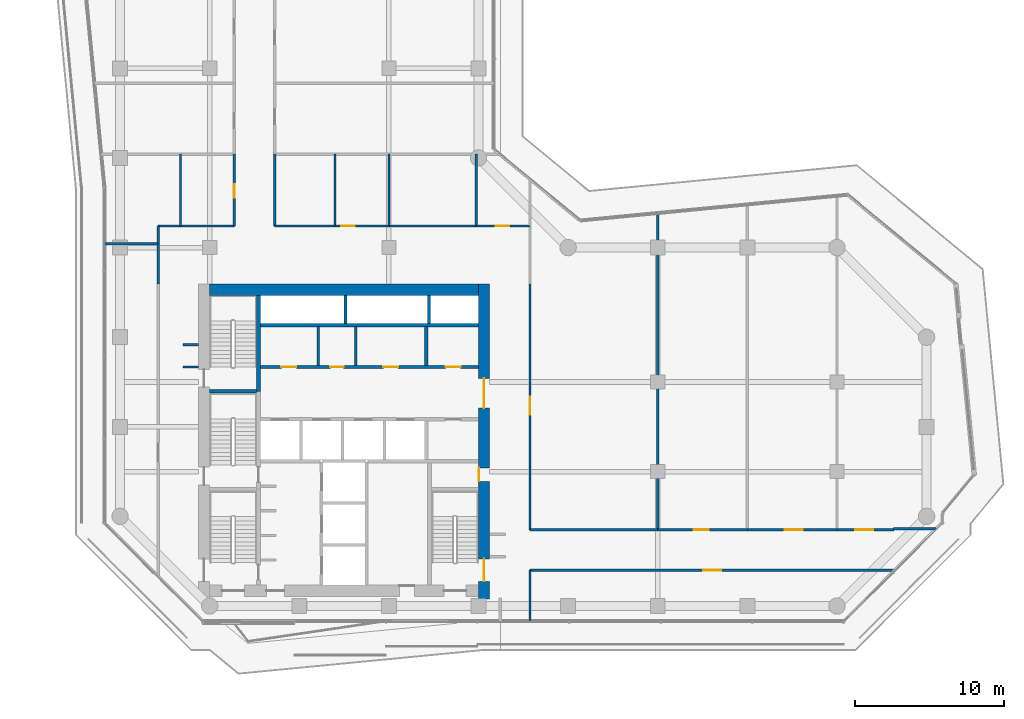
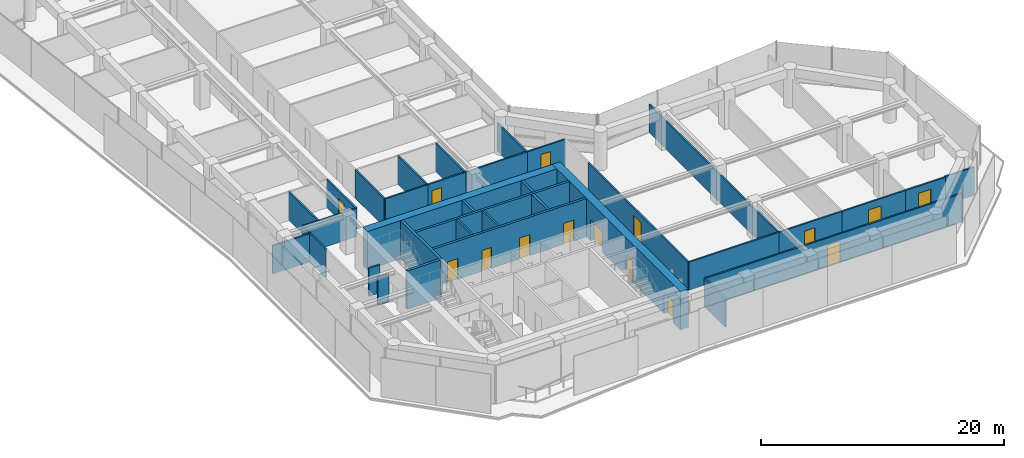
# One storey, part 24 of 28: 35 walls, 15 doors, 15 openings.
"""IFC4 building model written with IfcOpenShell, lengths in metres."""

from ifc_helpers import new_model, si_unit, direction, frame, frame_2d, origin, place, context, subcontext, project, spatial, rectangle, extrude, material, layer, layer_set, type_object, element, fill, save


model = new_model("IFC4")

# Units and contexts
model_context = context("Model", 3, precision=1e-05, world=origin(), true_north=direction((0.0, 1.0)))
body_context = subcontext(model_context, "Body", "Model", "MODEL_VIEW")
ifc_project = project(units=[si_unit("LENGTHUNIT", "METRE"), si_unit("AREAUNIT", "SQUARE_METRE"), si_unit("VOLUMEUNIT", "CUBIC_METRE"), si_unit("PLANEANGLEUNIT", "RADIAN"), si_unit("MASSUNIT", "GRAM", prefix="KILO")], contexts=[model_context])

# Site, building, storey
site_placement = place(None, origin())
site = spatial("IfcSite", under=ifc_project, at=site_placement, CompositionType="ELEMENT")
building_placement = place(site_placement, origin())
building = spatial("IfcBuilding", under=site, at=building_placement, Name="Welwitschia Terrace Campus", CompositionType="ELEMENT")
storey_placement = place(building_placement, frame((0.0, 0.0, 87.800048828125)))
storey = spatial("IfcBuildingStorey", under=building, at=storey_placement, Name="L19", CompositionType="ELEMENT", Elevation=87.800048828125)

# Walls
ifc_material_1 = material(Name="Concrete C32/40", Category="concrete")
ifc_layer_1 = layer(ifc_material_1, 0.175048828125)
ifc_layer_set_1 = layer_set([ifc_layer_1], Name="Concrete C32/40")
wall_type_1 = type_object("IfcWallType", Name="Core partition 175 Concrete C32/40", PredefinedType="PARTITIONING", material=ifc_layer_set_1)
for number, where, z_axis, x_axis, name in (
    (1, (13.27490234375, 20.10009765625, 0.0), (0.0, 0.0, 1.0), (0.0, 1.0, 0.0), "Core partition"),
    (2, (15.77490234375, 20.10009765625, 0.0), (0.0, 0.0, 1.0), (0.0, 1.0, 0.0), "Core partition"),
):
    element("IfcWall", number, at=place(storey_placement, frame(where, z_axis=z_axis, x_axis=x_axis)), inside=storey, type_object=wall_type_1, Name=name, PredefinedType="PARTITIONING", context=body_context, shape_type="SweptSolid", body=[
        extrude(rectangle(XDim=2.599853515625, YDim=0.175048828125, at=frame_2d((1.2998046875, 0.0))), origin(), (0.0, 0.0, 1.0), 3.849853515625),
    ])

# Wall, openings, doors
ifc_material_2 = material(Name="Concrete C32/40", Category="concrete")
ifc_layer_2 = layer(ifc_material_2, 0.22509765625)
ifc_layer_set_2 = layer_set([ifc_layer_2], Name="Concrete C32/40")
wall_type_2 = type_object("IfcWallType", Name="Core partition 225 Concrete C32/40", PredefinedType="PARTITIONING", material=ifc_layer_set_2)
wall_1_placement = place(storey_placement, frame((24.0, 20.0, 0.0), z_axis=(0.0, 0.0, 1.0), x_axis=(-1.0, 0.0, 0.0)))
wall_1 = element("IfcWall", 3, at=wall_1_placement, inside=storey, type_object=wall_type_2, Name="Core partition", PredefinedType="PARTITIONING", context=body_context, shape_type="SweptSolid", body=[
    extrude(rectangle(XDim=14.60009765625, YDim=0.22509765625, at=frame_2d((7.300048828125, 0.0))), origin(), (0.0, 0.0, 1.0), 3.849853515625),
])
opening_1_placement = place(wall_1_placement, frame((12.199951171875, 0.0, 0.0)))
opening_1 = element("IfcOpeningElement", 4, at=opening_1_placement, cuts=wall_1, Name="Opening DR10", PredefinedType="OPENING", context=body_context, shape_type="SweptSolid", body=[
    extrude(rectangle(XDim=1.0, YDim=2.10009765625, at=frame_2d((0.5, 1.050048828125))), frame((0.0, 0.12255859375, 0.0), z_axis=(0.0, -1.0, 0.0), x_axis=(1.0, 0.0, 0.0)), (0.0, 0.0, 1.0), 0.2451171875),
])
opening_2_placement = place(wall_1_placement, frame((9.02490234375, 0.0, 0.0)))
opening_2 = element("IfcOpeningElement", 5, at=opening_2_placement, cuts=wall_1, Name="Opening DR09", PredefinedType="OPENING", context=body_context, shape_type="SweptSolid", body=[
    extrude(rectangle(XDim=0.89990234375, YDim=2.10009765625, at=frame_2d((0.449951171875, 1.050048828125))), frame((0.0, 0.12255859375, 0.0), z_axis=(0.0, -1.0, 0.0), x_axis=(1.0, 0.0, 0.0)), (0.0, 0.0, 1.0), 0.2451171875),
])
opening_3_placement = place(wall_1_placement, frame((5.375, 0.0, 0.0)))
opening_3 = element("IfcOpeningElement", 6, at=opening_3_placement, cuts=wall_1, Name="Opening DR10", PredefinedType="OPENING", context=body_context, shape_type="SweptSolid", body=[
    extrude(rectangle(XDim=1.0, YDim=2.10009765625, at=frame_2d((0.5, 1.050048828125))), frame((0.0, 0.12255859375, 0.0), z_axis=(0.0, -1.0, 0.0), x_axis=(1.0, 0.0, 0.0)), (0.0, 0.0, 1.0), 0.2451171875),
])
opening_4_placement = place(wall_1_placement, frame((1.199951171875, 0.0, 0.0)))
opening_4 = element("IfcOpeningElement", 7, at=opening_4_placement, cuts=wall_1, Name="Opening DR10", PredefinedType="OPENING", context=body_context, shape_type="SweptSolid", body=[
    extrude(rectangle(XDim=1.0, YDim=2.10009765625, at=frame_2d((0.5, 1.050048828125))), frame((0.0, 0.12255859375, 0.0), z_axis=(0.0, -1.0, 0.0), x_axis=(1.0, 0.0, 0.0)), (0.0, 0.0, 1.0), 0.2451171875),
])
ifc_material_3 = material(Name="Steel S275", Category="steel")
door_type_1 = type_object("IfcDoorType", Name="Core door DR09", OperationType="SINGLE_SWING_LEFT", PredefinedType="DOOR", material=ifc_material_3)
door_1_placement = place(opening_2_placement, origin())
door_1 = element("IfcDoor", 8, at=door_1_placement, inside=storey, type_object=door_type_1, Name="Door BAYH2-D", OperationType="SINGLE_SWING_RIGHT", OverallHeight=2.10009765625, OverallWidth=0.89990234375, PredefinedType="DOOR", context=body_context, shape_type="SweptSolid", body=[
    extrude(rectangle(XDim=0.89990234375, YDim=2.10009765625, at=frame_2d((0.449951171875, 1.050048828125))), frame((0.0, 0.02490234375, 0.0), z_axis=(0.0, -1.0, 0.0), x_axis=(1.0, 0.0, 0.0)), (0.0, 0.0, 1.0), 0.050048828125),
])
fill(opening_2, door_1)
ifc_material_4 = material(Name="Steel S275", Category="steel")
door_type_2 = type_object("IfcDoorType", Name="Core door DR10", OperationType="SINGLE_SWING_LEFT", PredefinedType="DOOR", material=ifc_material_4)
door_2_placement = place(opening_1_placement, origin())
door_2 = element("IfcDoor", 9, at=door_2_placement, inside=storey, type_object=door_type_2, Name="Door BAYH1-D", OperationType="SINGLE_SWING_RIGHT", OverallHeight=2.10009765625, OverallWidth=1.0, PredefinedType="DOOR", context=body_context, shape_type="SweptSolid", body=[
    extrude(rectangle(XDim=1.0, YDim=2.10009765625, at=frame_2d((0.5, 1.050048828125))), frame((0.0, 0.02490234375, 0.0), z_axis=(0.0, -1.0, 0.0), x_axis=(1.0, 0.0, 0.0)), (0.0, 0.0, 1.0), 0.050048828125),
])
fill(opening_1, door_2)
door_3_placement = place(opening_3_placement, origin())
door_3 = element("IfcDoor", 10, at=door_3_placement, inside=storey, type_object=door_type_2, Name="Door BAYH3-D", OperationType="SINGLE_SWING_LEFT", OverallHeight=2.10009765625, OverallWidth=1.0, PredefinedType="DOOR", context=body_context, shape_type="SweptSolid", body=[
    extrude(rectangle(XDim=1.0, YDim=2.10009765625, at=frame_2d((0.5, 1.050048828125))), frame((0.0, 0.02490234375, 0.0), z_axis=(0.0, -1.0, 0.0), x_axis=(1.0, 0.0, 0.0)), (0.0, 0.0, 1.0), 0.050048828125),
])
fill(opening_3, door_3)
door_4_placement = place(opening_4_placement, origin())
door_4 = element("IfcDoor", 11, at=door_4_placement, inside=storey, type_object=door_type_2, Name="Door EH-D", OperationType="SINGLE_SWING_LEFT", OverallHeight=2.10009765625, OverallWidth=1.0, PredefinedType="DOOR", context=body_context, shape_type="SweptSolid", body=[
    extrude(rectangle(XDim=1.0, YDim=2.10009765625, at=frame_2d((0.5, 1.050048828125))), frame((0.0, 0.02490234375, 0.0), z_axis=(0.0, -1.0, 0.0), x_axis=(1.0, 0.0, 0.0)), (0.0, 0.0, 1.0), 0.050048828125),
])
fill(opening_4, door_4)

# Walls
wall_2_placement = place(storey_placement, frame((9.39990234375, 22.800048828125, 0.0), z_axis=(0.0, 0.0, 1.0), x_axis=(1.0, 0.0, 0.0)))
element("IfcWall", 12, at=wall_2_placement, inside=storey, type_object=wall_type_2, Name="Shaft wall", PredefinedType="PARTITIONING", context=body_context, shape_type="SweptSolid", body=[
    extrude(rectangle(XDim=14.60009765625, YDim=0.22509765625, at=frame_2d((7.300048828125, 0.0))), origin(), (0.0, 0.0, 1.0), 3.849853515625),
])
wall_3_placement = place(storey_placement, frame((20.5, 20.10009765625, 0.0), z_axis=(0.0, 0.0, 1.0), x_axis=(0.0, 1.0, 0.0)))
element("IfcWall", 13, at=wall_3_placement, inside=storey, type_object=wall_type_2, Name="Core partition", PredefinedType="PARTITIONING", context=body_context, shape_type="SweptSolid", body=[
    extrude(rectangle(XDim=2.599853515625, YDim=0.22509765625, at=frame_2d((1.2998046875, 0.0))), origin(), (0.0, 0.0, 1.0), 3.849853515625),
])
ifc_material_5 = material(Name="Concrete C50/60", Category="concrete")
ifc_layer_3 = layer(ifc_material_5, 0.199951171875)
ifc_layer_set_3 = layer_set([ifc_layer_3], Name="Concrete C50/60")
wall_type_3 = type_object("IfcWallType", Name="Core wall 200 Concrete C50/60", PredefinedType="SHEAR", material=ifc_layer_set_3)
for number, where, z_axis, x_axis, name in (
    (14, (15.10009765625, 22.89990234375, 0.0), (0.0, 0.0, 1.0), (0.0, 1.0, 0.0), "Core wall"),
    (15, (20.699951171875, 22.89990234375, 0.0), (0.0, 0.0, 1.0), (0.0, 1.0, 0.0), "Core wall"),
):
    element("IfcWall", number, at=place(storey_placement, frame(where, z_axis=z_axis, x_axis=x_axis)), inside=storey, type_object=wall_type_3, Name=name, PredefinedType="SHEAR", context=body_context, shape_type="SweptSolid", body=[
        extrude(rectangle(XDim=1.900146484375, YDim=0.199951171875, at=frame_2d((0.9501953125, 0.0))), origin(), (0.0, 0.0, 1.0), 3.849853515625),
    ])
ifc_material_6 = material(Name="Concrete C50/60", Category="concrete")
ifc_layer_4 = layer(ifc_material_6, 0.25)
ifc_layer_set_4 = layer_set([ifc_layer_4], Name="Concrete C50/60")
wall_type_4 = type_object("IfcWallType", Name="Core wall 250 Concrete C50/60", PredefinedType="SHEAR", material=ifc_layer_set_4)
wall_4_placement = place(storey_placement, frame((6.0, 18.375, 0.0), z_axis=(0.0, 0.0, 1.0), x_axis=(1.0, 0.0, 0.0)))
element("IfcWall", 16, at=wall_4_placement, inside=storey, type_object=wall_type_4, Name="Core wall", PredefinedType="SHEAR", context=body_context, shape_type="SweptSolid", body=[
    extrude(rectangle(XDim=3.14990234375, YDim=0.25, at=frame_2d((1.574951171875, 0.0))), origin(), (0.0, 0.0, 1.0), 3.849853515625),
])
wall_5_placement = place(storey_placement, frame((9.27490234375, 18.375, 0.0), z_axis=(0.0, 0.0, 1.0), x_axis=(0.0, 1.0, 0.0)))
element("IfcWall", 17, at=wall_5_placement, inside=storey, type_object=wall_type_4, Name="Core wall", PredefinedType="SHEAR", context=body_context, shape_type="SweptSolid", body=[
    extrude(rectangle(XDim=6.425048828125, YDim=0.25, at=frame_2d((3.21240234375, 0.0))), origin(), (0.0, 0.0, 1.0), 3.849853515625),
])

# Wall, openings, doors
ifc_material_7 = material(Name="Concrete C70/85", Category="concrete")
ifc_layer_5 = layer(ifc_material_7, 0.75)
ifc_layer_set_5 = layer_set([ifc_layer_5], Name="Concrete C70/85")
wall_type_5 = type_object("IfcWallType", Name="Core wall 750 Concrete C70/85", PredefinedType="SHEAR", material=ifc_layer_set_5)
wall_6_placement = place(storey_placement, frame((24.375, 25.550048828125, 0.0), z_axis=(0.0, 0.0, 1.0), x_axis=(0.0, -1.0, 0.0)))
wall_6 = element("IfcWall", 18, at=wall_6_placement, inside=storey, type_object=wall_type_5, Name="Core outer wall", PredefinedType="SHEAR", context=body_context, shape_type="SweptSolid", body=[
    extrude(rectangle(XDim=21.080078125, YDim=0.75, at=frame_2d((10.5400390625, 0.0))), origin(), (0.0, 0.0, 1.0), 3.849853515625),
])
opening_5_placement = place(wall_6_placement, frame((18.39990234375, 0.0, 0.0)))
opening_5 = element("IfcOpeningElement", 19, at=opening_5_placement, cuts=wall_6, Name="Opening DS15", PredefinedType="OPENING", context=body_context, shape_type="SweptSolid", body=[
    extrude(rectangle(XDim=1.5, YDim=2.10009765625, at=frame_2d((0.75, 1.050048828125))), frame((0.0, 0.385009765625, 0.0), z_axis=(0.0, -1.0, 0.0), x_axis=(1.0, 0.0, 0.0)), (0.0, 0.0, 1.0), 0.77001953125),
])
opening_6_placement = place(wall_6_placement, frame((12.300048828125, 0.0, 0.0)))
opening_6 = element("IfcOpeningElement", 20, at=opening_6_placement, cuts=wall_6, Name="Opening DR09", PredefinedType="OPENING", context=body_context, shape_type="SweptSolid", body=[
    extrude(rectangle(XDim=0.89990234375, YDim=2.10009765625, at=frame_2d((0.449951171875, 1.050048828125))), frame((0.0, 0.385009765625, 0.0), z_axis=(0.0, -1.0, 0.0), x_axis=(1.0, 0.0, 0.0)), (0.0, 0.0, 1.0), 0.77001953125),
])
opening_7_placement = place(wall_6_placement, frame((6.300048828125, 0.0, 0.0)))
opening_7 = element("IfcOpeningElement", 21, at=opening_7_placement, cuts=wall_6, Name="Opening DL20", PredefinedType="OPENING", context=body_context, shape_type="SweptSolid", body=[
    extrude(rectangle(XDim=2.0, YDim=2.10009765625, at=frame_2d((1.0, 1.050048828125))), frame((0.0, 0.385009765625, 0.0), z_axis=(0.0, -1.0, 0.0), x_axis=(1.0, 0.0, 0.0)), (0.0, 0.0, 1.0), 0.77001953125),
])
ifc_material_8 = material(Name="Steel S275", Category="steel")
door_type_3 = type_object("IfcDoorType", Name="Core door DL20", OperationType="DOUBLE_DOOR_SINGLE_SWING", PredefinedType="DOOR", material=ifc_material_8)
door_5_placement = place(opening_7_placement, origin())
door_5 = element("IfcDoor", 22, at=door_5_placement, inside=storey, type_object=door_type_3, Name="Door LOBBY-out", OperationType="DOUBLE_DOOR_SINGLE_SWING", OverallHeight=2.10009765625, OverallWidth=2.0, PredefinedType="DOOR", context=body_context, shape_type="SweptSolid", body=[
    extrude(rectangle(XDim=2.0, YDim=2.10009765625, at=frame_2d((1.0, 1.050048828125))), frame((0.0, 0.02490234375, 0.0), z_axis=(0.0, -1.0, 0.0), x_axis=(1.0, 0.0, 0.0)), (0.0, 0.0, 1.0), 0.050048828125),
])
fill(opening_7, door_5)
door_6_placement = place(opening_6_placement, origin())
door_6 = element("IfcDoor", 23, at=door_6_placement, inside=storey, type_object=door_type_1, Name="Door F1B-out", OperationType="SINGLE_SWING_RIGHT", OverallHeight=2.10009765625, OverallWidth=0.89990234375, PredefinedType="DOOR", context=body_context, shape_type="SweptSolid", body=[
    extrude(rectangle(XDim=0.89990234375, YDim=2.10009765625, at=frame_2d((0.449951171875, 1.050048828125))), frame((0.0, -0.31494140625, 0.0), z_axis=(0.0, -1.0, 0.0), x_axis=(1.0, 0.0, 0.0)), (0.0, 0.0, 1.0), 0.050048828125),
])
fill(opening_6, door_6)
ifc_material_9 = material(Name="Steel S275", Category="steel")
door_type_4 = type_object("IfcDoorType", Name="Core door DS15", OperationType="DOUBLE_DOOR_SINGLE_SWING", PredefinedType="DOOR", material=ifc_material_9)
door_7_placement = place(opening_5_placement, origin())
door_7 = element("IfcDoor", 24, at=door_7_placement, inside=storey, type_object=door_type_4, Name="Door S2-out", OperationType="DOUBLE_DOOR_SINGLE_SWING", OverallHeight=2.10009765625, OverallWidth=1.5, PredefinedType="DOOR", context=body_context, shape_type="SweptSolid", body=[
    extrude(rectangle(XDim=1.5, YDim=2.10009765625, at=frame_2d((0.75, 1.050048828125))), frame((0.0, 0.02490234375, 0.0), z_axis=(0.0, -1.0, 0.0), x_axis=(1.0, 0.0, 0.0)), (0.0, 0.0, 1.0), 0.050048828125),
])
fill(opening_5, door_7)

# Walls
wall_7_placement = place(storey_placement, frame((6.0, 25.175048828125, 0.0), z_axis=(0.0, 0.0, 1.0), x_axis=(1.0, 0.0, 0.0)))
element("IfcWall", 25, at=wall_7_placement, inside=storey, type_object=wall_type_5, Name="Core outer wall", PredefinedType="SHEAR", context=body_context, shape_type="SweptSolid", body=[
    extrude(rectangle(XDim=18.0, YDim=0.75, at=frame_2d((9.0, 0.0))), origin(), (0.0, 0.0, 1.0), 3.849853515625),
])
ifc_material_10 = material(Name="Gypsum board on steel studs", Category="steel")
ifc_layer_6 = layer(ifc_material_10, 0.14990234375)
ifc_layer_set_6 = layer_set([ifc_layer_6], Name="Gypsum board on steel studs")
wall_type_6 = type_object("IfcWallType", Name="Corridor partition 150 EI 30", PredefinedType="PARTITIONING", material=ifc_layer_set_6)
wall_8_placement = place(storey_placement, frame((-1.0400390625, 28.25, 0.0), z_axis=(0.0, 0.0, 1.0), x_axis=(1.0, 0.0, 0.0)))
element("IfcWall", 26, at=wall_8_placement, inside=storey, type_object=wall_type_6, Name="Partition", PredefinedType="PARTITIONING", context=body_context, shape_type="SweptSolid", body=[
    extrude(rectangle(XDim=3.590087890625, YDim=0.14990234375, at=frame_2d((1.794921875, 0.0))), origin(), (0.0, 0.0, 1.0), 2.829833984375),
])
wall_9_placement = place(storey_placement, frame((2.550048828125, 25.550048828125, 0.0), z_axis=(0.0, 0.0, 1.0), x_axis=(0.0, 1.0, 0.0)))
element("IfcWall", 27, at=wall_9_placement, inside=storey, type_object=wall_type_6, Name="Partition", PredefinedType="PARTITIONING", context=body_context, shape_type="SweptSolid", body=[
    extrude(rectangle(XDim=3.89990234375, YDim=0.14990234375, at=frame_2d((1.949951171875, 0.0))), origin(), (0.0, 0.0, 1.0), 2.829833984375),
])
wall_10_placement = place(storey_placement, frame((2.550048828125, 29.449951171875, 0.0), z_axis=(0.0, 0.0, 1.0), x_axis=(1.0, 0.0, 0.0)))
element("IfcWall", 28, at=wall_10_placement, inside=storey, type_object=wall_type_6, Name="Partition", PredefinedType="PARTITIONING", context=body_context, shape_type="SweptSolid", body=[
    extrude(rectangle(XDim=5.099853515625, YDim=0.14990234375, at=frame_2d((2.5498046875, 0.0))), origin(), (0.0, 0.0, 1.0), 2.829833984375),
])
wall_11_placement = place(storey_placement, frame((4.050048828125, 29.449951171875, 0.0), z_axis=(0.0, 0.0, 1.0), x_axis=(0.0, 1.0, 0.0)))
element("IfcWall", 29, at=wall_11_placement, inside=storey, type_object=wall_type_6, Name="Partition", PredefinedType="PARTITIONING", context=body_context, shape_type="SweptSolid", body=[
    extrude(rectangle(XDim=4.800048828125, YDim=0.14990234375, at=frame_2d((2.39990234375, 0.0))), origin(), (0.0, 0.0, 1.0), 2.829833984375),
])
for number, where, z_axis, x_axis, name in (
    (30, (4.199951171875, 20.0, 0.0), (0.0, 0.0, 1.0), (1.0, 0.0, 0.0), "Partition"),
    (31, (4.199951171875, 21.5, 0.0), (0.0, 0.0, 1.0), (1.0, 0.0, 0.0), "Partition"),
):
    element("IfcWall", number, at=place(storey_placement, frame(where, z_axis=z_axis, x_axis=x_axis)), inside=storey, type_object=wall_type_6, Name=name, PredefinedType="PARTITIONING", context=body_context, shape_type="SweptSolid", body=[
        extrude(rectangle(XDim=1.050048828125, YDim=0.14990234375, at=frame_2d((0.52490234375, 0.0))), origin(), (0.0, 0.0, 1.0), 2.829833984375),
    ])

# Wall, opening, door
wall_12_placement = place(storey_placement, frame((7.64990234375, 29.449951171875, 0.0), z_axis=(0.0, 0.0, 1.0), x_axis=(0.0, 1.0, 0.0)))
wall_12 = element("IfcWall", 32, at=wall_12_placement, inside=storey, type_object=wall_type_6, Name="Partition", PredefinedType="PARTITIONING", context=body_context, shape_type="SweptSolid", body=[
    extrude(rectangle(XDim=4.800048828125, YDim=0.14990234375, at=frame_2d((2.39990234375, 0.0))), origin(), (0.0, 0.0, 1.0), 2.829833984375),
])
opening_8_placement = place(wall_12_placement, frame((1.89990234375, 0.0, 0.0)))
opening_8 = element("IfcOpeningElement", 33, at=opening_8_placement, cuts=wall_12, Name="Opening DI09", PredefinedType="OPENING", context=body_context, shape_type="SweptSolid", body=[
    extrude(rectangle(XDim=0.89990234375, YDim=2.10009765625, at=frame_2d((0.449951171875, 1.050048828125))), frame((0.0, 0.0849609375, 0.0), z_axis=(0.0, -1.0, 0.0), x_axis=(1.0, 0.0, 0.0)), (0.0, 0.0, 1.0), 0.169921875),
])
ifc_material_11 = material(Name="Timber veneered door", Category="wood")
door_type_5 = type_object("IfcDoorType", Name="Interior door DI09", OperationType="NOTDEFINED", PredefinedType="DOOR", material=ifc_material_11)
door_8_placement = place(opening_8_placement, origin())
door_8 = element("IfcDoor", 34, at=door_8_placement, inside=storey, type_object=door_type_5, Name="Door L19 421", OperationType="SINGLE_SWING_RIGHT", OverallHeight=2.10009765625, OverallWidth=0.89990234375, PredefinedType="DOOR", context=body_context, shape_type="SweptSolid", body=[
    extrude(rectangle(XDim=0.89990234375, YDim=2.10009765625, at=frame_2d((0.449951171875, 1.050048828125))), frame((0.0, 0.02490234375, 0.0), z_axis=(0.0, -1.0, 0.0), x_axis=(1.0, 0.0, 0.0)), (0.0, 0.0, 1.0), 0.050048828125),
])
fill(opening_8, door_8)

# Walls
wall_13_placement = place(storey_placement, frame((10.35009765625, 29.449951171875, 0.0), z_axis=(0.0, 0.0, 1.0), x_axis=(0.0, 1.0, 0.0)))
element("IfcWall", 35, at=wall_13_placement, inside=storey, type_object=wall_type_6, Name="Partition", PredefinedType="PARTITIONING", context=body_context, shape_type="SweptSolid", body=[
    extrude(rectangle(XDim=4.800048828125, YDim=0.14990234375, at=frame_2d((2.39990234375, 0.0))), origin(), (0.0, 0.0, 1.0), 2.829833984375),
])
wall_14_placement = place(storey_placement, frame((10.35009765625, 29.449951171875, 0.0), z_axis=(0.0, 0.0, 1.0), x_axis=(1.0, 0.0, 0.0)))
element("IfcWall", 36, at=wall_14_placement, inside=storey, type_object=wall_type_6, Name="Partition", PredefinedType="PARTITIONING", context=body_context, shape_type="SweptSolid", body=[
    extrude(rectangle(XDim=4.0498046875, YDim=0.14990234375, at=frame_2d((2.02490234375, 0.0))), origin(), (0.0, 0.0, 1.0), 2.829833984375),
])
wall_15_placement = place(storey_placement, frame((14.39990234375, 29.449951171875, 0.0), z_axis=(0.0, 0.0, 1.0), x_axis=(0.0, 1.0, 0.0)))
element("IfcWall", 37, at=wall_15_placement, inside=storey, type_object=wall_type_6, Name="Partition", PredefinedType="PARTITIONING", context=body_context, shape_type="SweptSolid", body=[
    extrude(rectangle(XDim=4.800048828125, YDim=0.14990234375, at=frame_2d((2.39990234375, 0.0))), origin(), (0.0, 0.0, 1.0), 2.829833984375),
])

# Wall, opening, door
wall_16_placement = place(storey_placement, frame((14.39990234375, 29.449951171875, 0.0), z_axis=(0.0, 0.0, 1.0), x_axis=(1.0, 0.0, 0.0)))
wall_16 = element("IfcWall", 38, at=wall_16_placement, inside=storey, type_object=wall_type_6, Name="Partition", PredefinedType="PARTITIONING", context=body_context, shape_type="SweptSolid", body=[
    extrude(rectangle(XDim=3.60009765625, YDim=0.14990234375, at=frame_2d((1.800048828125, 0.0))), origin(), (0.0, 0.0, 1.0), 2.829833984375),
])
opening_9_placement = place(wall_16_placement, frame((0.39990234375, 0.0, 0.0)))
opening_9 = element("IfcOpeningElement", 39, at=opening_9_placement, cuts=wall_16, Name="Opening DI09", PredefinedType="OPENING", context=body_context, shape_type="SweptSolid", body=[
    extrude(rectangle(XDim=0.89990234375, YDim=2.10009765625, at=frame_2d((0.449951171875, 1.050048828125))), frame((0.0, 0.0849609375, 0.0), z_axis=(0.0, -1.0, 0.0), x_axis=(1.0, 0.0, 0.0)), (0.0, 0.0, 1.0), 0.169921875),
])
door_9_placement = place(opening_9_placement, origin())
door_9 = element("IfcDoor", 40, at=door_9_placement, inside=storey, type_object=door_type_5, Name="Door L19 432", OperationType="SINGLE_SWING_LEFT", OverallHeight=2.10009765625, OverallWidth=0.89990234375, PredefinedType="DOOR", context=body_context, shape_type="SweptSolid", body=[
    extrude(rectangle(XDim=0.89990234375, YDim=2.10009765625, at=frame_2d((0.449951171875, 1.050048828125))), frame((0.0, 0.02490234375, 0.0), z_axis=(0.0, -1.0, 0.0), x_axis=(1.0, 0.0, 0.0)), (0.0, 0.0, 1.0), 0.050048828125),
])
fill(opening_9, door_9)

# Walls
wall_17_placement = place(storey_placement, frame((18.0, 29.449951171875, 0.0), z_axis=(0.0, 0.0, 1.0), x_axis=(0.0, 1.0, 0.0)))
element("IfcWall", 41, at=wall_17_placement, inside=storey, type_object=wall_type_6, Name="Partition", PredefinedType="PARTITIONING", context=body_context, shape_type="SweptSolid", body=[
    extrude(rectangle(XDim=4.800048828125, YDim=0.14990234375, at=frame_2d((2.39990234375, 0.0))), origin(), (0.0, 0.0, 1.0), 2.829833984375),
])
wall_18_placement = place(storey_placement, frame((18.0, 29.449951171875, 0.0), z_axis=(0.0, 0.0, 1.0), x_axis=(1.0, 0.0, 0.0)))
element("IfcWall", 42, at=wall_18_placement, inside=storey, type_object=wall_type_6, Name="Partition", PredefinedType="PARTITIONING", context=body_context, shape_type="SweptSolid", body=[
    extrude(rectangle(XDim=5.85009765625, YDim=0.14990234375, at=frame_2d((2.925048828125, 0.0))), origin(), (0.0, 0.0, 1.0), 2.829833984375),
])
wall_19_placement = place(storey_placement, frame((23.85009765625, 29.449951171875, 0.0), z_axis=(0.0, 0.0, 1.0), x_axis=(0.0, 1.0, 0.0)))
element("IfcWall", 43, at=wall_19_placement, inside=storey, type_object=wall_type_6, Name="Partition", PredefinedType="PARTITIONING", context=body_context, shape_type="SweptSolid", body=[
    extrude(rectangle(XDim=4.800048828125, YDim=0.14990234375, at=frame_2d((2.39990234375, 0.0))), origin(), (0.0, 0.0, 1.0), 2.829833984375),
])

# Wall, opening, door
wall_20_placement = place(storey_placement, frame((23.85009765625, 29.449951171875, 0.0), z_axis=(0.0, 0.0, 1.0), x_axis=(1.0, 0.0, 0.0)))
wall_20 = element("IfcWall", 44, at=wall_20_placement, inside=storey, type_object=wall_type_6, Name="Partition", PredefinedType="PARTITIONING", context=body_context, shape_type="SweptSolid", body=[
    extrude(rectangle(XDim=3.599853515625, YDim=0.14990234375, at=frame_2d((1.7998046875, 0.0))), origin(), (0.0, 0.0, 1.0), 2.829833984375),
])
opening_10_placement = place(wall_20_placement, frame((1.300048828125, 0.0, 0.0)))
opening_10 = element("IfcOpeningElement", 45, at=opening_10_placement, cuts=wall_20, Name="Opening DI09", PredefinedType="OPENING", context=body_context, shape_type="SweptSolid", body=[
    extrude(rectangle(XDim=0.89990234375, YDim=2.10009765625, at=frame_2d((0.449951171875, 1.050048828125))), frame((0.0, 0.0849609375, 0.0), z_axis=(0.0, -1.0, 0.0), x_axis=(1.0, 0.0, 0.0)), (0.0, 0.0, 1.0), 0.169921875),
])
door_10_placement = place(opening_10_placement, origin())
door_10 = element("IfcDoor", 46, at=door_10_placement, inside=storey, type_object=door_type_5, Name="Door L19 433", OperationType="SINGLE_SWING_RIGHT", OverallHeight=2.10009765625, OverallWidth=0.89990234375, PredefinedType="DOOR", context=body_context, shape_type="SweptSolid", body=[
    extrude(rectangle(XDim=0.89990234375, YDim=2.10009765625, at=frame_2d((0.449951171875, 1.050048828125))), frame((0.0, 0.02490234375, 0.0), z_axis=(0.0, -1.0, 0.0), x_axis=(1.0, 0.0, 0.0)), (0.0, 0.0, 1.0), 0.050048828125),
])
fill(opening_10, door_10)

# Walls
wall_21_placement = place(storey_placement, frame((27.449951171875, 2.9599609375, 0.0), z_axis=(0.0, 0.0, 1.0), x_axis=(0.0, 1.0, 0.0)))
element("IfcWall", 47, at=wall_21_placement, inside=storey, type_object=wall_type_6, Name="Partition", PredefinedType="PARTITIONING", context=body_context, shape_type="SweptSolid", body=[
    extrude(rectangle(XDim=3.43994140625, YDim=0.14990234375, at=frame_2d((1.719970703125, 0.0))), origin(), (0.0, 0.0, 1.0), 2.829833984375),
])
wall_22_placement = place(storey_placement, frame((27.449951171875, 9.10009765625, 0.0), z_axis=(0.0, 0.0, 1.0), x_axis=(1.0, 0.0, 0.0)))
element("IfcWall", 48, at=wall_22_placement, inside=storey, type_object=wall_type_6, Name="Partition", PredefinedType="PARTITIONING", context=body_context, shape_type="SweptSolid", body=[
    extrude(rectangle(XDim=8.550048828125, YDim=0.14990234375, at=frame_2d((4.27490234375, 0.0))), origin(), (0.0, 0.0, 1.0), 2.829833984375),
])

# Wall, opening, door
wall_23_placement = place(storey_placement, frame((27.449951171875, 25.550048828125, 0.0), z_axis=(0.0, 0.0, 1.0), x_axis=(0.0, -1.0, 0.0)))
wall_23 = element("IfcWall", 49, at=wall_23_placement, inside=storey, type_object=wall_type_6, Name="Partition", PredefinedType="PARTITIONING", context=body_context, shape_type="SweptSolid", body=[
    extrude(rectangle(XDim=16.449951171875, YDim=0.14990234375, at=frame_2d((8.22509765625, 0.0))), origin(), (0.0, 0.0, 1.0), 2.829833984375),
])
opening_11_placement = place(wall_23_placement, frame((7.550048828125, 0.0, 0.0)))
opening_11 = element("IfcOpeningElement", 50, at=opening_11_placement, cuts=wall_23, Name="Opening DI12", PredefinedType="OPENING", context=body_context, shape_type="SweptSolid", body=[
    extrude(rectangle(XDim=1.199951171875, YDim=2.10009765625, at=frame_2d((0.60009765625, 1.050048828125))), frame((0.0, 0.0849609375, 0.0), z_axis=(0.0, -1.0, 0.0), x_axis=(1.0, 0.0, 0.0)), (0.0, 0.0, 1.0), 0.169921875),
])
ifc_material_12 = material(Name="Timber veneered door", Category="wood")
door_type_6 = type_object("IfcDoorType", Name="Interior door DI12", OperationType="NOTDEFINED", PredefinedType="DOOR", material=ifc_material_12)
door_11_placement = place(opening_11_placement, origin())
door_11 = element("IfcDoor", 51, at=door_11_placement, inside=storey, type_object=door_type_6, Name="Door L19 434", OperationType="SINGLE_SWING_LEFT", OverallHeight=2.10009765625, OverallWidth=1.199951171875, PredefinedType="DOOR", context=body_context, shape_type="SweptSolid", body=[
    extrude(rectangle(XDim=1.199951171875, YDim=2.10009765625, at=frame_2d((0.60009765625, 1.050048828125))), frame((0.0, 0.02490234375, 0.0), z_axis=(0.0, -1.0, 0.0), x_axis=(1.0, 0.0, 0.0)), (0.0, 0.0, 1.0), 0.050048828125),
])
fill(opening_11, door_11)

# Wall
wall_24_placement = place(storey_placement, frame((36.0, 9.10009765625, 0.0), z_axis=(0.0, 0.0, 1.0), x_axis=(0.0, 1.0, 0.0)))
element("IfcWall", 52, at=wall_24_placement, inside=storey, type_object=wall_type_6, Name="Partition", PredefinedType="PARTITIONING", context=body_context, shape_type="SweptSolid", body=[
    extrude(rectangle(XDim=21.199951171875, YDim=0.14990234375, at=frame_2d((10.60009765625, 0.0))), origin(), (0.0, 0.0, 1.0), 2.829833984375),
])

# Wall, opening, door
wall_25_placement = place(storey_placement, frame((36.0, 9.10009765625, 0.0), z_axis=(0.0, 0.0, 1.0), x_axis=(1.0, 0.0, 0.0)))
wall_25 = element("IfcWall", 53, at=wall_25_placement, inside=storey, type_object=wall_type_6, Name="Partition", PredefinedType="PARTITIONING", context=body_context, shape_type="SweptSolid", body=[
    extrude(rectangle(XDim=6.0, YDim=0.14990234375, at=frame_2d((3.0, 0.0))), origin(), (0.0, 0.0, 1.0), 2.829833984375),
])
opening_12_placement = place(wall_25_placement, frame((2.39990234375, 0.0, 0.0)))
opening_12 = element("IfcOpeningElement", 54, at=opening_12_placement, cuts=wall_25, Name="Opening DI10", PredefinedType="OPENING", context=body_context, shape_type="SweptSolid", body=[
    extrude(rectangle(XDim=1.0, YDim=2.10009765625, at=frame_2d((0.5, 1.050048828125))), frame((0.0, 0.0849609375, 0.0), z_axis=(0.0, -1.0, 0.0), x_axis=(1.0, 0.0, 0.0)), (0.0, 0.0, 1.0), 0.169921875),
])
ifc_material_13 = material(Name="Timber veneered door", Category="wood")
door_type_7 = type_object("IfcDoorType", Name="Interior door DI10", OperationType="NOTDEFINED", PredefinedType="DOOR", material=ifc_material_13)
door_12_placement = place(opening_12_placement, origin())
door_12 = element("IfcDoor", 55, at=door_12_placement, inside=storey, type_object=door_type_7, Name="Door L19 435", OperationType="SINGLE_SWING_RIGHT", OverallHeight=2.10009765625, OverallWidth=1.0, PredefinedType="DOOR", context=body_context, shape_type="SweptSolid", body=[
    extrude(rectangle(XDim=1.0, YDim=2.10009765625, at=frame_2d((0.5, 1.050048828125))), frame((0.0, 0.02490234375, 0.0), z_axis=(0.0, -1.0, 0.0), x_axis=(1.0, 0.0, 0.0)), (0.0, 0.0, 1.0), 0.050048828125),
])
fill(opening_12, door_12)

wall_26_placement = place(storey_placement, frame((42.0, 9.10009765625, 0.0), z_axis=(0.0, 0.0, 1.0), x_axis=(1.0, 0.0, 0.0)))
wall_26 = element("IfcWall", 56, at=wall_26_placement, inside=storey, type_object=wall_type_6, Name="Partition", PredefinedType="PARTITIONING", context=body_context, shape_type="SweptSolid", body=[
    extrude(rectangle(XDim=6.0, YDim=0.14990234375, at=frame_2d((3.0, 0.0))), origin(), (0.0, 0.0, 1.0), 2.829833984375),
])
opening_13_placement = place(wall_26_placement, frame((2.5, 0.0, 0.0)))
opening_13 = element("IfcOpeningElement", 57, at=opening_13_placement, cuts=wall_26, Name="Opening DX12", PredefinedType="OPENING", context=body_context, shape_type="SweptSolid", body=[
    extrude(rectangle(XDim=1.199951171875, YDim=2.10009765625, at=frame_2d((0.60009765625, 1.050048828125))), frame((0.0, 0.0849609375, 0.0), z_axis=(0.0, -1.0, 0.0), x_axis=(1.0, 0.0, 0.0)), (0.0, 0.0, 1.0), 0.169921875),
])
ifc_material_14 = material(Name="Timber veneered door", Category="wood")
door_type_8 = type_object("IfcDoorType", Name="Interior door DX12", OperationType="NOTDEFINED", PredefinedType="DOOR", material=ifc_material_14)
door_13_placement = place(opening_13_placement, origin())
door_13 = element("IfcDoor", 58, at=door_13_placement, inside=storey, type_object=door_type_8, Name="Door L19 436", OperationType="SINGLE_SWING_LEFT", OverallHeight=2.10009765625, OverallWidth=1.199951171875, PredefinedType="DOOR", context=body_context, shape_type="SweptSolid", body=[
    extrude(rectangle(XDim=1.199951171875, YDim=2.10009765625, at=frame_2d((0.60009765625, 1.050048828125))), frame((0.0, 0.02490234375, 0.0), z_axis=(0.0, -1.0, 0.0), x_axis=(1.0, 0.0, 0.0)), (0.0, 0.0, 1.0), 0.050048828125),
])
fill(opening_13, door_13)

wall_27_placement = place(storey_placement, frame((48.0, 9.10009765625, 0.0), z_axis=(0.0, 0.0, 1.0), x_axis=(1.0, 0.0, 0.0)))
wall_27 = element("IfcWall", 59, at=wall_27_placement, inside=storey, type_object=wall_type_6, Name="Partition", PredefinedType="PARTITIONING", context=body_context, shape_type="SweptSolid", body=[
    extrude(rectangle(XDim=3.830078125, YDim=0.14990234375, at=frame_2d((1.9150390625, 0.0))), origin(), (0.0, 0.0, 1.0), 2.829833984375),
])
opening_14_placement = place(wall_27_placement, frame((1.22998046875, 0.0, 0.0)))
opening_14 = element("IfcOpeningElement", 60, at=opening_14_placement, cuts=wall_27, Name="Opening DI12", PredefinedType="OPENING", context=body_context, shape_type="SweptSolid", body=[
    extrude(rectangle(XDim=1.199951171875, YDim=2.10009765625, at=frame_2d((0.60009765625, 1.050048828125))), frame((0.0, 0.0849609375, 0.0), z_axis=(0.0, -1.0, 0.0), x_axis=(1.0, 0.0, 0.0)), (0.0, 0.0, 1.0), 0.169921875),
])
door_14_placement = place(opening_14_placement, origin())
door_14 = element("IfcDoor", 61, at=door_14_placement, inside=storey, type_object=door_type_6, Name="Door L19 437", OperationType="SINGLE_SWING_RIGHT", OverallHeight=2.10009765625, OverallWidth=1.199951171875, PredefinedType="DOOR", context=body_context, shape_type="SweptSolid", body=[
    extrude(rectangle(XDim=1.199951171875, YDim=2.10009765625, at=frame_2d((0.60009765625, 1.050048828125))), frame((0.0, 0.02490234375, 0.0), z_axis=(0.0, -1.0, 0.0), x_axis=(1.0, 0.0, 0.0)), (0.0, 0.0, 1.0), 0.050048828125),
])
fill(opening_14, door_14)

# Wall
wall_28_placement = place(storey_placement, frame((51.800048828125, 9.179931640625, 0.0), z_axis=(0.0, 0.0, 1.0), x_axis=(1.0, 0.0, 0.0)))
element("IfcWall", 62, at=wall_28_placement, inside=storey, type_object=wall_type_6, Name="Partition", PredefinedType="PARTITIONING", context=body_context, shape_type="SweptSolid", body=[
    extrude(rectangle(XDim=2.8310546875, YDim=0.14990234375, at=frame_2d((1.41552734375, 0.0))), origin(), (0.0, 0.0, 1.0), 2.829833984375),
])

# Wall, opening, door
wall_29_placement = place(storey_placement, frame((51.85107421875, 6.39990234375, 0.0), z_axis=(0.0, 0.0, 1.0), x_axis=(-1.0, 0.0, 0.0)))
wall_29 = element("IfcWall", 63, at=wall_29_placement, inside=storey, type_object=wall_type_6, Name="Partition", PredefinedType="PARTITIONING", context=body_context, shape_type="SweptSolid", body=[
    extrude(rectangle(XDim=24.401123046875, YDim=0.14990234375, at=frame_2d((12.20068359375, 0.0))), origin(), (0.0, 0.0, 1.0), 2.829833984375),
])
opening_15_placement = place(wall_29_placement, frame((11.60107421875, 0.0, 0.0)))
opening_15 = element("IfcOpeningElement", 64, at=opening_15_placement, cuts=wall_29, Name="Opening DI12", PredefinedType="OPENING", context=body_context, shape_type="SweptSolid", body=[
    extrude(rectangle(XDim=1.199951171875, YDim=2.10009765625, at=frame_2d((0.60009765625, 1.050048828125))), frame((0.0, 0.0849609375, 0.0), z_axis=(0.0, -1.0, 0.0), x_axis=(1.0, 0.0, 0.0)), (0.0, 0.0, 1.0), 0.169921875),
])
door_15_placement = place(opening_15_placement, origin())
door_15 = element("IfcDoor", 65, at=door_15_placement, inside=storey, type_object=door_type_6, Name="Door L19 438", OperationType="SINGLE_SWING_LEFT", OverallHeight=2.10009765625, OverallWidth=1.199951171875, PredefinedType="DOOR", context=body_context, shape_type="SweptSolid", body=[
    extrude(rectangle(XDim=1.199951171875, YDim=2.10009765625, at=frame_2d((0.60009765625, 1.050048828125))), frame((0.0, 0.02490234375, 0.0), z_axis=(0.0, -1.0, 0.0), x_axis=(1.0, 0.0, 0.0)), (0.0, 0.0, 1.0), 0.050048828125),
])
fill(opening_15, door_15)

save(model, "model.ifc")
